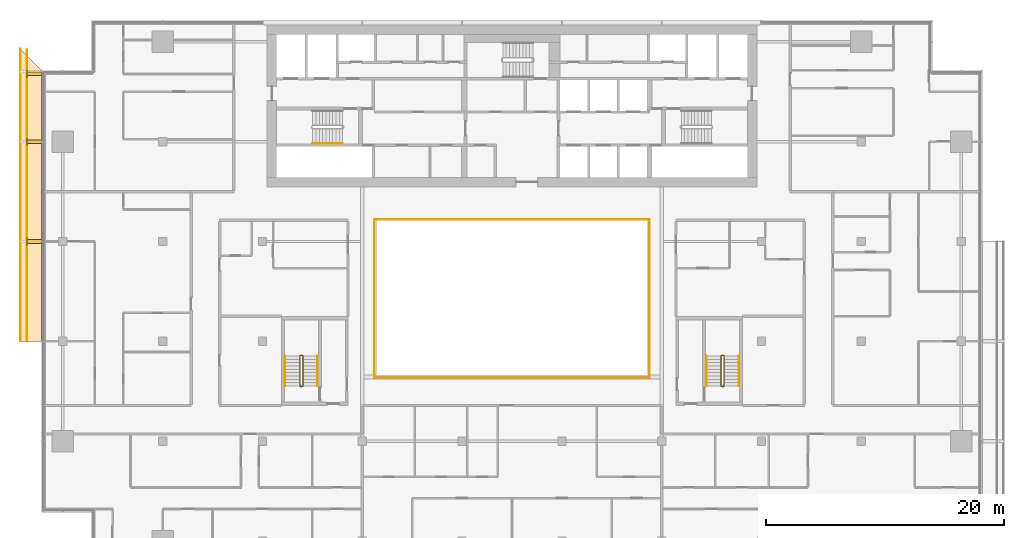
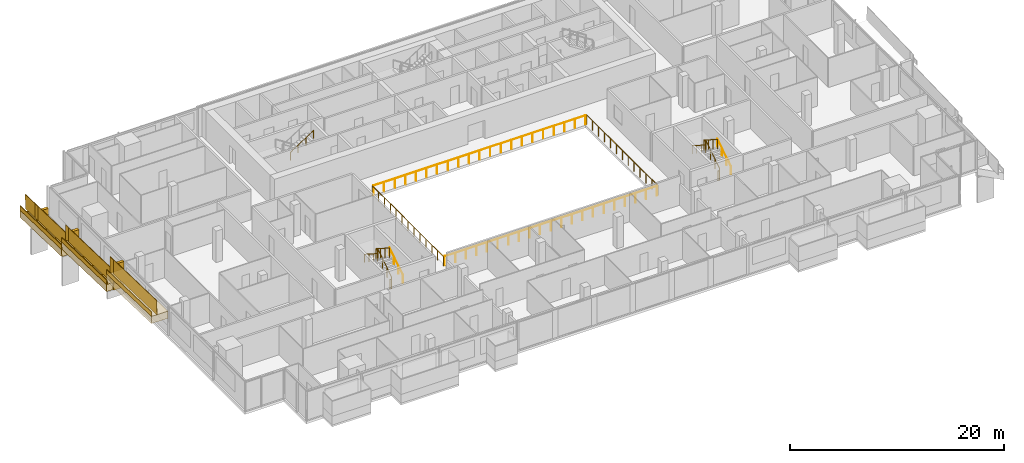
# One storey, part 27 of 29: 17 railings, 9 coverings.
"""IFC4 building model written with IfcOpenShell, lengths in metres."""

from ifc_helpers import new_model, si_unit, direction, frame, origin, origin_2d, place, context, subcontext, project, spatial, polyline, rectangle, circle, outline, extrude, material, layer, layer_set, type_object, element, save


model = new_model("IFC4")

# Units and contexts
model_context = context("Model", 3, precision=1e-05, world=origin(), true_north=direction((0.0, 1.0)))
body_context = subcontext(model_context, "Body", "Model", "MODEL_VIEW")
ifc_project = project(units=[si_unit("LENGTHUNIT", "METRE"), si_unit("AREAUNIT", "SQUARE_METRE"), si_unit("VOLUMEUNIT", "CUBIC_METRE"), si_unit("PLANEANGLEUNIT", "RADIAN"), si_unit("MASSUNIT", "GRAM", prefix="KILO")], contexts=[model_context])

# Site, building, storey
site_placement = place(None, origin())
site = spatial("IfcSite", under=ifc_project, at=site_placement, CompositionType="ELEMENT")
building_placement = place(site_placement, origin())
building = spatial("IfcBuilding", under=site, at=building_placement, Name="Saffron Gate Tower", CompositionType="ELEMENT")
storey_placement = place(building_placement, frame((0.0, 0.0, 161.85009765625)))
storey = spatial("IfcBuildingStorey", under=building, at=storey_placement, Name="L39", CompositionType="ELEMENT", Elevation=161.85009765625)

# Railings
ifc_material_1 = material(Name="Stainless steel and laminated glass", Category="steel")
railing_type_1 = type_object("IfcRailingType", Name="AG1 Atrium edge guard 1100", PredefinedType="GUARDRAIL", material=ifc_material_1)
railing_1_placement = place(storey_placement, frame((76.02001953125, 45.5400390625, 0.0)))
element("IfcRailing", 1, at=railing_1_placement, inside=storey, type_object=railing_type_1, Name="Guard C2-1", PredefinedType="GUARDRAIL", context=body_context, shape_type="SweptSolid", body=[
    extrude(circle(Radius=0.02392578125, at=origin_2d()), frame((0.0, 0.0, 1.076171875), z_axis=(0.0, 1.0, 0.0), x_axis=(-1.0, 0.0, 0.0)), (0.0, 0.0, 1.0), 13.320068359375),
    extrude(circle(Radius=0.02099609375, at=origin_2d()), origin(), (0.0, 0.0, 1.0), 1.052001953125),
    extrude(circle(Radius=0.02099609375, at=origin_2d()), frame((0.0, 1.110107421875, 0.0)), (0.0, 0.0, 1.0), 1.052001953125),
    extrude(circle(Radius=0.02099609375, at=origin_2d()), frame((0.0, 2.219970703125, 0.0)), (0.0, 0.0, 1.0), 1.052001953125),
    extrude(circle(Radius=0.02099609375, at=origin_2d()), frame((0.0, 3.330078125, 0.0)), (0.0, 0.0, 1.0), 1.052001953125),
    extrude(circle(Radius=0.02099609375, at=origin_2d()), frame((0.0, 4.43994140625, 0.0)), (0.0, 0.0, 1.0), 1.052001953125),
    extrude(circle(Radius=0.02099609375, at=origin_2d()), frame((0.0, 5.550048828125, 0.0)), (0.0, 0.0, 1.0), 1.052001953125),
    extrude(circle(Radius=0.02099609375, at=origin_2d()), frame((0.0, 6.66015625, 0.0)), (0.0, 0.0, 1.0), 1.052001953125),
    extrude(circle(Radius=0.02099609375, at=origin_2d()), frame((0.0, 7.77001953125, 0.0)), (0.0, 0.0, 1.0), 1.052001953125),
    extrude(circle(Radius=0.02099609375, at=origin_2d()), frame((0.0, 8.880126953125, 0.0)), (0.0, 0.0, 1.0), 1.052001953125),
    extrude(circle(Radius=0.02099609375, at=origin_2d()), frame((0.0, 9.989990234375, 0.0)), (0.0, 0.0, 1.0), 1.052001953125),
    extrude(circle(Radius=0.02099609375, at=origin_2d()), frame((0.0, 11.10009765625, 0.0)), (0.0, 0.0, 1.0), 1.052001953125),
    extrude(circle(Radius=0.02099609375, at=origin_2d()), frame((0.0, 12.2099609375, 0.0)), (0.0, 0.0, 1.0), 1.052001953125),
    extrude(circle(Radius=0.02099609375, at=origin_2d()), frame((0.0, 13.320068359375, 0.0)), (0.0, 0.0, 1.0), 1.052001953125),
])
railing_2_placement = place(storey_placement, frame((76.139892578125, 58.860107421875, 0.0)))
element("IfcRailing", 2, at=railing_2_placement, inside=storey, type_object=railing_type_1, Name="Guard C2-2", PredefinedType="GUARDRAIL", context=body_context, shape_type="SweptSolid", body=[
    extrude(circle(Radius=0.02392578125, at=origin_2d()), frame((0.0, 0.0, 1.076171875), z_axis=(1.0, 0.0, 0.0), x_axis=(0.0, 1.0, 0.0)), (0.0, 0.0, 1.0), 22.920166015625),
    extrude(circle(Radius=0.02099609375, at=origin_2d()), origin(), (0.0, 0.0, 1.0), 1.052001953125),
    extrude(circle(Radius=0.02099609375, at=origin_2d()), frame((1.14599609375, 0.0, 0.0)), (0.0, 0.0, 1.0), 1.052001953125),
    extrude(circle(Radius=0.02099609375, at=origin_2d()), frame((2.2919921875, 0.0, 0.0)), (0.0, 0.0, 1.0), 1.052001953125),
    extrude(circle(Radius=0.02099609375, at=origin_2d()), frame((3.43798828125, 0.0, 0.0)), (0.0, 0.0, 1.0), 1.052001953125),
    extrude(circle(Radius=0.02099609375, at=origin_2d()), frame((4.583984375, 0.0, 0.0)), (0.0, 0.0, 1.0), 1.052001953125),
    extrude(circle(Radius=0.02099609375, at=origin_2d()), frame((5.72998046875, 0.0, 0.0)), (0.0, 0.0, 1.0), 1.052001953125),
    extrude(circle(Radius=0.02099609375, at=origin_2d()), frame((6.8759765625, 0.0, 0.0)), (0.0, 0.0, 1.0), 1.052001953125),
    extrude(circle(Radius=0.02099609375, at=origin_2d()), frame((8.02197265625, 0.0, 0.0)), (0.0, 0.0, 1.0), 1.052001953125),
    extrude(circle(Radius=0.02099609375, at=origin_2d()), frame((9.16796875, 0.0, 0.0)), (0.0, 0.0, 1.0), 1.052001953125),
    extrude(circle(Radius=0.02099609375, at=origin_2d()), frame((10.31396484375, 0.0, 0.0)), (0.0, 0.0, 1.0), 1.052001953125),
    extrude(circle(Radius=0.02099609375, at=origin_2d()), frame((11.4599609375, 0.0, 0.0)), (0.0, 0.0, 1.0), 1.052001953125),
    extrude(circle(Radius=0.02099609375, at=origin_2d()), frame((12.606201171875, 0.0, 0.0)), (0.0, 0.0, 1.0), 1.052001953125),
    extrude(circle(Radius=0.02099609375, at=origin_2d()), frame((13.752197265625, 0.0, 0.0)), (0.0, 0.0, 1.0), 1.052001953125),
    extrude(circle(Radius=0.02099609375, at=origin_2d()), frame((14.898193359375, 0.0, 0.0)), (0.0, 0.0, 1.0), 1.052001953125),
    extrude(circle(Radius=0.02099609375, at=origin_2d()), frame((16.044189453125, 0.0, 0.0)), (0.0, 0.0, 1.0), 1.052001953125),
    extrude(circle(Radius=0.02099609375, at=origin_2d()), frame((17.190185546875, 0.0, 0.0)), (0.0, 0.0, 1.0), 1.052001953125),
    extrude(circle(Radius=0.02099609375, at=origin_2d()), frame((18.336181640625, 0.0, 0.0)), (0.0, 0.0, 1.0), 1.052001953125),
    extrude(circle(Radius=0.02099609375, at=origin_2d()), frame((19.482177734375, 0.0, 0.0)), (0.0, 0.0, 1.0), 1.052001953125),
    extrude(circle(Radius=0.02099609375, at=origin_2d()), frame((20.628173828125, 0.0, 0.0)), (0.0, 0.0, 1.0), 1.052001953125),
    extrude(circle(Radius=0.02099609375, at=origin_2d()), frame((21.774169921875, 0.0, 0.0)), (0.0, 0.0, 1.0), 1.052001953125),
    extrude(circle(Radius=0.02099609375, at=origin_2d()), frame((22.920166015625, 0.0, 0.0)), (0.0, 0.0, 1.0), 1.052001953125),
])
railing_3_placement = place(storey_placement, frame((99.179931640625, 58.860107421875, 0.0)))
element("IfcRailing", 3, at=railing_3_placement, inside=storey, type_object=railing_type_1, Name="Guard C2-3", PredefinedType="GUARDRAIL", context=body_context, shape_type="SweptSolid", body=[
    extrude(circle(Radius=0.02392578125, at=origin_2d()), frame((0.0, 0.0, 1.076171875), z_axis=(0.0, -1.0, 0.0), x_axis=(1.0, 0.0, 0.0)), (0.0, 0.0, 1.0), 13.320068359375),
    extrude(circle(Radius=0.02099609375, at=origin_2d()), origin(), (0.0, 0.0, 1.0), 1.052001953125),
    extrude(circle(Radius=0.02099609375, at=origin_2d()), frame((0.0, -1.110107421875, 0.0)), (0.0, 0.0, 1.0), 1.052001953125),
    extrude(circle(Radius=0.02099609375, at=origin_2d()), frame((0.0, -2.219970703125, 0.0)), (0.0, 0.0, 1.0), 1.052001953125),
    extrude(circle(Radius=0.02099609375, at=origin_2d()), frame((0.0, -3.330078125, 0.0)), (0.0, 0.0, 1.0), 1.052001953125),
    extrude(circle(Radius=0.02099609375, at=origin_2d()), frame((0.0, -4.43994140625, 0.0)), (0.0, 0.0, 1.0), 1.052001953125),
    extrude(circle(Radius=0.02099609375, at=origin_2d()), frame((0.0, -5.550048828125, 0.0)), (0.0, 0.0, 1.0), 1.052001953125),
    extrude(circle(Radius=0.02099609375, at=origin_2d()), frame((0.0, -6.66015625, 0.0)), (0.0, 0.0, 1.0), 1.052001953125),
    extrude(circle(Radius=0.02099609375, at=origin_2d()), frame((0.0, -7.77001953125, 0.0)), (0.0, 0.0, 1.0), 1.052001953125),
    extrude(circle(Radius=0.02099609375, at=origin_2d()), frame((0.0, -8.880126953125, 0.0)), (0.0, 0.0, 1.0), 1.052001953125),
    extrude(circle(Radius=0.02099609375, at=origin_2d()), frame((0.0, -9.989990234375, 0.0)), (0.0, 0.0, 1.0), 1.052001953125),
    extrude(circle(Radius=0.02099609375, at=origin_2d()), frame((0.0, -11.10009765625, 0.0)), (0.0, 0.0, 1.0), 1.052001953125),
    extrude(circle(Radius=0.02099609375, at=origin_2d()), frame((0.0, -12.2099609375, 0.0)), (0.0, 0.0, 1.0), 1.052001953125),
    extrude(circle(Radius=0.02099609375, at=origin_2d()), frame((0.0, -13.320068359375, 0.0)), (0.0, 0.0, 1.0), 1.052001953125),
])
railing_4_placement = place(storey_placement, frame((99.06005859375, 45.5400390625, 0.0)))
element("IfcRailing", 4, at=railing_4_placement, inside=storey, type_object=railing_type_1, Name="Guard C2-4", PredefinedType="GUARDRAIL", context=body_context, shape_type="SweptSolid", body=[
    extrude(circle(Radius=0.02392578125, at=origin_2d()), frame((0.0, 0.0, 1.076171875), z_axis=(-1.0, 0.0, 0.0), x_axis=(0.0, -1.0, 0.0)), (0.0, 0.0, 1.0), 22.920166015625),
    extrude(circle(Radius=0.02099609375, at=origin_2d()), origin(), (0.0, 0.0, 1.0), 1.052001953125),
    extrude(circle(Radius=0.02099609375, at=origin_2d()), frame((-1.14599609375, 0.0, 0.0)), (0.0, 0.0, 1.0), 1.052001953125),
    extrude(circle(Radius=0.02099609375, at=origin_2d()), frame((-2.2919921875, 0.0, 0.0)), (0.0, 0.0, 1.0), 1.052001953125),
    extrude(circle(Radius=0.02099609375, at=origin_2d()), frame((-3.43798828125, 0.0, 0.0)), (0.0, 0.0, 1.0), 1.052001953125),
    extrude(circle(Radius=0.02099609375, at=origin_2d()), frame((-4.583984375, 0.0, 0.0)), (0.0, 0.0, 1.0), 1.052001953125),
    extrude(circle(Radius=0.02099609375, at=origin_2d()), frame((-5.72998046875, 0.0, 0.0)), (0.0, 0.0, 1.0), 1.052001953125),
    extrude(circle(Radius=0.02099609375, at=origin_2d()), frame((-6.8759765625, 0.0, 0.0)), (0.0, 0.0, 1.0), 1.052001953125),
    extrude(circle(Radius=0.02099609375, at=origin_2d()), frame((-8.02197265625, 0.0, 0.0)), (0.0, 0.0, 1.0), 1.052001953125),
    extrude(circle(Radius=0.02099609375, at=origin_2d()), frame((-9.16796875, 0.0, 0.0)), (0.0, 0.0, 1.0), 1.052001953125),
    extrude(circle(Radius=0.02099609375, at=origin_2d()), frame((-10.31396484375, 0.0, 0.0)), (0.0, 0.0, 1.0), 1.052001953125),
    extrude(circle(Radius=0.02099609375, at=origin_2d()), frame((-11.4599609375, 0.0, 0.0)), (0.0, 0.0, 1.0), 1.052001953125),
    extrude(circle(Radius=0.02099609375, at=origin_2d()), frame((-12.606201171875, 0.0, 0.0)), (0.0, 0.0, 1.0), 1.052001953125),
    extrude(circle(Radius=0.02099609375, at=origin_2d()), frame((-13.752197265625, 0.0, 0.0)), (0.0, 0.0, 1.0), 1.052001953125),
    extrude(circle(Radius=0.02099609375, at=origin_2d()), frame((-14.898193359375, 0.0, 0.0)), (0.0, 0.0, 1.0), 1.052001953125),
    extrude(circle(Radius=0.02099609375, at=origin_2d()), frame((-16.044189453125, 0.0, 0.0)), (0.0, 0.0, 1.0), 1.052001953125),
    extrude(circle(Radius=0.02099609375, at=origin_2d()), frame((-17.190185546875, 0.0, 0.0)), (0.0, 0.0, 1.0), 1.052001953125),
    extrude(circle(Radius=0.02099609375, at=origin_2d()), frame((-18.336181640625, 0.0, 0.0)), (0.0, 0.0, 1.0), 1.052001953125),
    extrude(circle(Radius=0.02099609375, at=origin_2d()), frame((-19.482177734375, 0.0, 0.0)), (0.0, 0.0, 1.0), 1.052001953125),
    extrude(circle(Radius=0.02099609375, at=origin_2d()), frame((-20.628173828125, 0.0, 0.0)), (0.0, 0.0, 1.0), 1.052001953125),
    extrude(circle(Radius=0.02099609375, at=origin_2d()), frame((-21.774169921875, 0.0, 0.0)), (0.0, 0.0, 1.0), 1.052001953125),
    extrude(circle(Radius=0.02099609375, at=origin_2d()), frame((-22.920166015625, 0.0, 0.0)), (0.0, 0.0, 1.0), 1.052001953125),
])
railing_type_2 = type_object("IfcRailingType", Name="CR1 Stair guard 1100", PredefinedType="GUARDRAIL", material=ifc_material_1)
railing_5_placement = place(storey_placement, frame((69.800048828125, 44.800048828125, 0.0)))
element("IfcRailing", 5, at=railing_5_placement, inside=storey, type_object=railing_type_2, Name="L39 ST-D stair guard 1", PredefinedType="GUARDRAIL", context=body_context, shape_type="SweptSolid", body=[
    extrude(circle(Radius=0.02392578125, at=origin_2d()), frame((0.0, 0.0, 1.076171875), z_axis=(1.0, 0.0, 0.0), x_axis=(0.0, 1.0, 0.0)), (0.0, 0.0, 1.0), 0.14990234375),
    extrude(circle(Radius=0.02392578125, at=origin_2d()), frame((0.14990234375, 0.0, 1.076171875), z_axis=(0.258847668887, 0.258847668887, 0.930588936439), x_axis=(-0.707106781187, 0.707106781187, 0.0)), (0.0, 0.0, 1.0), 0.193359375),
    extrude(circle(Radius=0.02392578125, at=origin_2d()), frame((0.199951171875, 0.050048828125, 1.255859375), z_axis=(0.0, 0.841199657755, 0.540724639528), x_axis=(-1.0, 0.0, 0.0)), (0.0, 0.0, 1.0), 2.995849609375),
    extrude(circle(Radius=0.02392578125, at=origin_2d()), frame((0.199951171875, 2.570068359375, 2.8759765625), z_axis=(-0.708833529934, 0.705375805398, 0.0), x_axis=(-0.705375805398, -0.708833529934, 0.0)), (0.0, 0.0, 1.0), 0.070556640625),
    extrude(circle(Radius=0.02392578125, at=origin_2d()), frame((0.14990234375, 2.619873046875, 2.8759765625), z_axis=(-1.0, 0.0, 0.0), x_axis=(0.0, -1.0, 0.0)), (0.0, 0.0, 1.0), 0.14990234375),
    extrude(circle(Radius=0.02392578125, at=origin_2d()), frame((0.0, 2.619873046875, 2.8759765625), z_axis=(-0.258627984543, -0.257366384619, 0.931060744355), x_axis=(0.705375805398, -0.708833529934, 0.0)), (0.0, 0.0, 1.0), 0.193603515625),
    extrude(circle(Radius=0.02392578125, at=origin_2d()), frame((-0.050048828125, 2.570068359375, 3.05615234375), z_axis=(0.0, -0.841199657755, 0.540724639528), x_axis=(1.0, 0.0, 0.0)), (0.0, 0.0, 1.0), 2.995849609375),
    extrude(circle(Radius=0.02099609375, at=origin_2d()), origin(), (0.0, 0.0, 1.0), 1.052001953125),
    extrude(circle(Radius=0.02099609375, at=origin_2d()), frame((0.14990234375, 0.0, 0.0)), (0.0, 0.0, 1.0), 1.052001953125),
    extrude(circle(Radius=0.02099609375, at=origin_2d()), frame((0.199951171875, 0.050048828125, 0.179931640625)), (0.0, 0.0, 1.0), 1.052001953125),
    extrude(circle(Radius=0.02099609375, at=origin_2d()), frame((0.199951171875, 0.89013671875, 0.719970703125)), (0.0, 0.0, 1.0), 1.052001953125),
    extrude(circle(Radius=0.02099609375, at=origin_2d()), frame((0.199951171875, 1.72998046875, 1.259765625)), (0.0, 0.0, 1.0), 1.052001953125),
    extrude(circle(Radius=0.02099609375, at=origin_2d()), frame((0.199951171875, 2.570068359375, 1.7998046875)), (0.0, 0.0, 1.0), 1.052001953125),
    extrude(circle(Radius=0.02099609375, at=origin_2d()), frame((0.14990234375, 2.619873046875, 1.7998046875)), (0.0, 0.0, 1.0), 1.052001953125),
    extrude(circle(Radius=0.02099609375, at=origin_2d()), frame((0.0, 2.619873046875, 1.7998046875)), (0.0, 0.0, 1.0), 1.052001953125),
    extrude(circle(Radius=0.02099609375, at=origin_2d()), frame((-0.050048828125, 2.570068359375, 1.97998046875)), (0.0, 0.0, 1.0), 1.052001953125),
    extrude(circle(Radius=0.02099609375, at=origin_2d()), frame((-0.050048828125, 1.72998046875, 2.52001953125)), (0.0, 0.0, 1.0), 1.052001953125),
    extrude(circle(Radius=0.02099609375, at=origin_2d()), frame((-0.050048828125, 0.89013671875, 3.059814453125)), (0.0, 0.0, 1.0), 1.052001953125),
    extrude(circle(Radius=0.02099609375, at=origin_2d()), frame((-0.050048828125, 0.050048828125, 3.599853515625)), (0.0, 0.0, 1.0), 1.052001953125),
])
railing_6_placement = place(storey_placement, frame((105.25, 44.800048828125, 0.0)))
element("IfcRailing", 6, at=railing_6_placement, inside=storey, type_object=railing_type_2, Name="L39 ST-E stair guard 1", PredefinedType="GUARDRAIL", context=body_context, shape_type="SweptSolid", body=[
    extrude(circle(Radius=0.02392578125, at=origin_2d()), frame((0.0, 0.0, 1.076171875), z_axis=(1.0, 0.0, 0.0), x_axis=(0.0, 1.0, 0.0)), (0.0, 0.0, 1.0), 0.14990234375),
    extrude(circle(Radius=0.02392578125, at=origin_2d()), frame((0.14990234375, 0.0, 1.076171875), z_axis=(0.258847668887, 0.258847668887, 0.930588936439), x_axis=(-0.707106781187, 0.707106781187, 0.0)), (0.0, 0.0, 1.0), 0.193359375),
    extrude(circle(Radius=0.02392578125, at=origin_2d()), frame((0.199951171875, 0.050048828125, 1.255859375), z_axis=(0.0, 0.841199657755, 0.540724639528), x_axis=(-1.0, 0.0, 0.0)), (0.0, 0.0, 1.0), 2.995849609375),
    extrude(circle(Radius=0.02392578125, at=origin_2d()), frame((0.199951171875, 2.570068359375, 2.8759765625), z_axis=(-0.708833529934, 0.705375805398, 0.0), x_axis=(-0.705375805398, -0.708833529934, 0.0)), (0.0, 0.0, 1.0), 0.070556640625),
    extrude(circle(Radius=0.02392578125, at=origin_2d()), frame((0.14990234375, 2.619873046875, 2.8759765625), z_axis=(-1.0, 0.0, 0.0), x_axis=(0.0, -1.0, 0.0)), (0.0, 0.0, 1.0), 0.14990234375),
    extrude(circle(Radius=0.02392578125, at=origin_2d()), frame((0.0, 2.619873046875, 2.8759765625), z_axis=(-0.258627984543, -0.257366384619, 0.931060744355), x_axis=(0.705375805398, -0.708833529934, 0.0)), (0.0, 0.0, 1.0), 0.193603515625),
    extrude(circle(Radius=0.02392578125, at=origin_2d()), frame((-0.050048828125, 2.570068359375, 3.05615234375), z_axis=(0.0, -0.841199657755, 0.540724639528), x_axis=(1.0, 0.0, 0.0)), (0.0, 0.0, 1.0), 2.995849609375),
    extrude(circle(Radius=0.02099609375, at=origin_2d()), origin(), (0.0, 0.0, 1.0), 1.052001953125),
    extrude(circle(Radius=0.02099609375, at=origin_2d()), frame((0.14990234375, 0.0, 0.0)), (0.0, 0.0, 1.0), 1.052001953125),
    extrude(circle(Radius=0.02099609375, at=origin_2d()), frame((0.199951171875, 0.050048828125, 0.179931640625)), (0.0, 0.0, 1.0), 1.052001953125),
    extrude(circle(Radius=0.02099609375, at=origin_2d()), frame((0.199951171875, 0.89013671875, 0.719970703125)), (0.0, 0.0, 1.0), 1.052001953125),
    extrude(circle(Radius=0.02099609375, at=origin_2d()), frame((0.199951171875, 1.72998046875, 1.259765625)), (0.0, 0.0, 1.0), 1.052001953125),
    extrude(circle(Radius=0.02099609375, at=origin_2d()), frame((0.199951171875, 2.570068359375, 1.7998046875)), (0.0, 0.0, 1.0), 1.052001953125),
    extrude(circle(Radius=0.02099609375, at=origin_2d()), frame((0.14990234375, 2.619873046875, 1.7998046875)), (0.0, 0.0, 1.0), 1.052001953125),
    extrude(circle(Radius=0.02099609375, at=origin_2d()), frame((0.0, 2.619873046875, 1.7998046875)), (0.0, 0.0, 1.0), 1.052001953125),
    extrude(circle(Radius=0.02099609375, at=origin_2d()), frame((-0.050048828125, 2.570068359375, 1.97998046875)), (0.0, 0.0, 1.0), 1.052001953125),
    extrude(circle(Radius=0.02099609375, at=origin_2d()), frame((-0.050048828125, 1.72998046875, 2.52001953125)), (0.0, 0.0, 1.0), 1.052001953125),
    extrude(circle(Radius=0.02099609375, at=origin_2d()), frame((-0.050048828125, 0.89013671875, 3.059814453125)), (0.0, 0.0, 1.0), 1.052001953125),
    extrude(circle(Radius=0.02099609375, at=origin_2d()), frame((-0.050048828125, 0.050048828125, 3.599853515625)), (0.0, 0.0, 1.0), 1.052001953125),
])
ifc_material_2 = material(Name="Stainless steel", Category="steel")
railing_type_3 = type_object("IfcRailingType", Name="CR2 Stair handrail 900", PredefinedType="HANDRAIL", material=ifc_material_2)
railing_7_placement = place(storey_placement, frame((70.830078125, 65.25, 1.97998046875)))
element("IfcRailing", 7, at=railing_7_placement, inside=storey, type_object=railing_type_3, Name="L39 ST-A stair handrail 2", PredefinedType="HANDRAIL", context=body_context, shape_type="SweptSolid", body=[
    extrude(circle(Radius=0.02392578125, at=origin_2d()), frame((0.0, 0.0, 0.8759765625), z_axis=(0.841199657755, 0.0, 0.540724639528), x_axis=(0.0, 1.0, 0.0)), (0.0, 0.0, 1.0), 2.995849609375),
    extrude(circle(Radius=0.02099609375, at=origin_2d()), origin(), (0.0, 0.0, 1.0), 0.851806640625),
    extrude(circle(Radius=0.02099609375, at=origin_2d()), frame((0.840087890625, 0.0, 0.5400390625)), (0.0, 0.0, 1.0), 0.851806640625),
    extrude(circle(Radius=0.02099609375, at=origin_2d()), frame((1.679931640625, 0.0, 1.079833984375)), (0.0, 0.0, 1.0), 0.851806640625),
    extrude(circle(Radius=0.02099609375, at=origin_2d()), frame((2.52001953125, 0.0, 1.619873046875)), (0.0, 0.0, 1.0), 0.851806640625),
])
railing_8_placement = place(storey_placement, frame((71.25, 44.85009765625, 0.179931640625)))
element("IfcRailing", 8, at=railing_8_placement, inside=storey, type_object=railing_type_3, Name="L39 ST-D stair handrail 1", PredefinedType="HANDRAIL", context=body_context, shape_type="SweptSolid", body=[
    extrude(circle(Radius=0.02392578125, at=origin_2d()), frame((0.0, 0.0, 0.8759765625), z_axis=(0.0, 0.841199657755, 0.540724639528), x_axis=(-1.0, 0.0, 0.0)), (0.0, 0.0, 1.0), 2.995849609375),
    extrude(circle(Radius=0.02099609375, at=origin_2d()), origin(), (0.0, 0.0, 1.0), 0.851806640625),
    extrude(circle(Radius=0.02099609375, at=origin_2d()), frame((0.0, 0.840087890625, 0.5400390625)), (0.0, 0.0, 1.0), 0.851806640625),
    extrude(circle(Radius=0.02099609375, at=origin_2d()), frame((0.0, 1.679931640625, 1.079833984375)), (0.0, 0.0, 1.0), 0.851806640625),
    extrude(circle(Radius=0.02099609375, at=origin_2d()), frame((0.0, 2.52001953125, 1.619873046875)), (0.0, 0.0, 1.0), 0.851806640625),
])
railing_9_placement = place(storey_placement, frame((68.5, 47.3701171875, 1.97998046875)))
element("IfcRailing", 9, at=railing_9_placement, inside=storey, type_object=railing_type_3, Name="L39 ST-D stair handrail 2", PredefinedType="HANDRAIL", context=body_context, shape_type="SweptSolid", body=[
    extrude(circle(Radius=0.02392578125, at=origin_2d()), frame((0.0, 0.0, 0.8759765625), z_axis=(0.0, -0.841199657755, 0.540724639528), x_axis=(1.0, 0.0, 0.0)), (0.0, 0.0, 1.0), 2.995849609375),
    extrude(circle(Radius=0.02099609375, at=origin_2d()), origin(), (0.0, 0.0, 1.0), 0.851806640625),
    extrude(circle(Radius=0.02099609375, at=origin_2d()), frame((0.0, -0.840087890625, 0.5400390625)), (0.0, 0.0, 1.0), 0.851806640625),
    extrude(circle(Radius=0.02099609375, at=origin_2d()), frame((0.0, -1.679931640625, 1.079833984375)), (0.0, 0.0, 1.0), 0.851806640625),
    extrude(circle(Radius=0.02099609375, at=origin_2d()), frame((0.0, -2.52001953125, 1.619873046875)), (0.0, 0.0, 1.0), 0.851806640625),
])
railing_10_placement = place(storey_placement, frame((106.699951171875, 44.85009765625, 0.179931640625)))
element("IfcRailing", 10, at=railing_10_placement, inside=storey, type_object=railing_type_3, Name="L39 ST-E stair handrail 1", PredefinedType="HANDRAIL", context=body_context, shape_type="SweptSolid", body=[
    extrude(circle(Radius=0.02392578125, at=origin_2d()), frame((0.0, 0.0, 0.8759765625), z_axis=(0.0, 0.841199657755, 0.540724639528), x_axis=(-1.0, 0.0, 0.0)), (0.0, 0.0, 1.0), 2.995849609375),
    extrude(circle(Radius=0.02099609375, at=origin_2d()), origin(), (0.0, 0.0, 1.0), 0.851806640625),
    extrude(circle(Radius=0.02099609375, at=origin_2d()), frame((0.0, 0.840087890625, 0.5400390625)), (0.0, 0.0, 1.0), 0.851806640625),
    extrude(circle(Radius=0.02099609375, at=origin_2d()), frame((0.0, 1.679931640625, 1.079833984375)), (0.0, 0.0, 1.0), 0.851806640625),
    extrude(circle(Radius=0.02099609375, at=origin_2d()), frame((0.0, 2.52001953125, 1.619873046875)), (0.0, 0.0, 1.0), 0.851806640625),
])
railing_11_placement = place(storey_placement, frame((103.949951171875, 47.3701171875, 1.97998046875)))
element("IfcRailing", 11, at=railing_11_placement, inside=storey, type_object=railing_type_3, Name="L39 ST-E stair handrail 2", PredefinedType="HANDRAIL", context=body_context, shape_type="SweptSolid", body=[
    extrude(circle(Radius=0.02392578125, at=origin_2d()), frame((0.0, 0.0, 0.8759765625), z_axis=(0.0, -0.841199657755, 0.540724639528), x_axis=(1.0, 0.0, 0.0)), (0.0, 0.0, 1.0), 2.995849609375),
    extrude(circle(Radius=0.02099609375, at=origin_2d()), origin(), (0.0, 0.0, 1.0), 0.851806640625),
    extrude(circle(Radius=0.02099609375, at=origin_2d()), frame((0.0, -0.840087890625, 0.5400390625)), (0.0, 0.0, 1.0), 0.851806640625),
    extrude(circle(Radius=0.02099609375, at=origin_2d()), frame((0.0, -1.679931640625, 1.079833984375)), (0.0, 0.0, 1.0), 0.851806640625),
    extrude(circle(Radius=0.02099609375, at=origin_2d()), frame((0.0, -2.52001953125, 1.619873046875)), (0.0, 0.0, 1.0), 0.851806640625),
])

# Coverings
ifc_material_3 = material(Name="Timber, thermally modified ash", Category="wood")
ifc_layer_1 = layer(ifc_material_3, 0.800048828125)
ifc_layer_set_1 = layer_set([ifc_layer_1], Name="LD1 ledge timber")
covering_type_1 = type_object("IfcCoveringType", Name="LD1 ledge timber", PredefinedType="CLADDING", material=ifc_layer_set_1)
covering_1_placement = place(storey_placement, frame((48.0, 71.39990234375, 0.09912109375), z_axis=(-3.5027307e-05, 0.028807146299, 0.99958498743), x_axis=(-3.68e-10, -0.999584988043, 0.028807146316)))
element("IfcCovering", 12, at=covering_1_placement, inside=storey, type_object=covering_type_1, Name="LEDGE", PredefinedType="CLADDING", context=body_context, shape_type="SweptSolid", body=[
    extrude(outline(polyline([(0.0, 0.0), (6.0024892885105, 2.541098841762901e-21), (6.002489289172793, -1.8000488270207489), (-1.800799813548424, -1.8000488321003227), (0.0, 0.0)])), origin(), (0.0, 0.0, -1.0), 0.800048828125),
])
for number, where, z_axis, x_axis, name in (
    (13, (48.0, 65.39990234375, 1.12939453125), (0.0, 0.028791175352, 0.999585448184), (0.0, -0.999585448184, 0.028791175352), "LEDGE"),
    (14, (48.0, 57.0, 2.57177734375), (0.0, 0.028791175352, 0.999585448184), (0.0, -0.999585448184, 0.028791175352), "LEDGE"),
):
    element("IfcCovering", number, at=place(storey_placement, frame(where, z_axis=z_axis, x_axis=x_axis)), inside=storey, type_object=covering_type_1, Name=name, PredefinedType="CLADDING", context=body_context, shape_type="SweptSolid", body=[
        extrude(outline(polyline([(0.0, 0.0), (8.403385982666892, 0.0), (8.403385982666892, -1.800048828125), (0.0, -1.800048828125), (0.0, 0.0)])), origin(), (0.0, 0.0, -1.0), 0.800048828125),
    ])
ifc_layer_2 = layer(ifc_material_3, 0.080078125)
ifc_layer_set_2 = layer_set([ifc_layer_2], Name="LD2 ledge planter trough")
covering_type_2 = type_object("IfcCoveringType", Name="LD2 ledge planter trough", PredefinedType="CLADDING", material=ifc_layer_set_2)
covering_2_placement = place(storey_placement, frame((46.199951171875, 73.199951171875, 0.047119140625), z_axis=(-1.0, 0.0, 0.0), x_axis=(0.0, -0.999584755248, 0.028815222999)))
element("IfcCovering", 15, at=covering_2_placement, inside=storey, type_object=covering_type_2, Name="LEDGE planter trough", PredefinedType="CLADDING", context=body_context, shape_type="SweptSolid", body=[
    extrude(outline(polyline([(0.0, 0.0), (7.803289102975944, 0.0), (7.8176967144752565, 0.4997923776238338), (0.014407611499312996, 0.4997923776238338), (0.0, 0.0)])), origin(), (0.0, 0.0, -1.0), 0.080078125),
])
for number, where, z_axis, x_axis, name in (
    (16, (46.199951171875, 65.39990234375, 1.12939453125), (-1.0, 0.0, 0.0), (0.0, -0.999585448184, 0.028791175352), "LEDGE planter trough"),
    (17, (46.199951171875, 57.0, 2.57177734375), (-1.0, 0.0, 0.0), (0.0, -0.999585448184, 0.028791175352), "LEDGE planter trough"),
):
    element("IfcCovering", number, at=place(storey_placement, frame(where, z_axis=z_axis, x_axis=x_axis)), inside=storey, type_object=covering_type_2, Name=name, PredefinedType="CLADDING", context=body_context, shape_type="SweptSolid", body=[
        extrude(outline(polyline([(0.0, 0.0), (8.403385982666892, 0.0), (8.417781570342743, 0.49979272409216496), (0.014395587675851172, 0.4997927240921649), (0.0, 0.0)])), origin(), (0.0, 0.0, -1.0), 0.080078125),
    ])
ifc_layer_3 = layer(ifc_material_3, 0.300048828125)
ifc_layer_set_3 = layer_set([ifc_layer_3], Name="LD3 ledge riser fin")
covering_type_3 = type_object("IfcCoveringType", Name="LD3 ledge riser fin", PredefinedType="CLADDING", material=ifc_layer_set_3)
covering_3_placement = place(storey_placement, frame((47.43994140625, 71.10009765625, -0.9580078125), z_axis=(0.0, 0.0, 1.0), x_axis=(0.0, -1.0, 0.0)))
element("IfcCovering", 18, at=covering_3_placement, inside=storey, type_object=covering_type_3, Name="LEDGE riser fin", PredefinedType="CLADDING", context=body_context, shape_type="SweptSolid", body=[
    extrude(rectangle(XDim=0.300048828125, YDim=1.1201171875, at=origin_2d()), origin(), (0.0, 0.0, 1.0), 1.957275390625),
])
covering_4_placement = place(storey_placement, frame((47.43994140625, 65.39990234375, -0.52783203125), z_axis=(0.0, 0.0, 1.0), x_axis=(0.0, -1.0, 0.0)))
element("IfcCovering", 19, at=covering_4_placement, inside=storey, type_object=covering_type_3, Name="LEDGE riser fin", PredefinedType="CLADDING", context=body_context, shape_type="SweptSolid", body=[
    extrude(rectangle(XDim=0.300048828125, YDim=1.1201171875, at=origin_2d()), origin(), (0.0, 0.0, 1.0), 2.557373046875),
])
covering_5_placement = place(storey_placement, frame((47.43994140625, 57.0, 0.5712890625), z_axis=(0.0, 0.0, 1.0), x_axis=(0.0, -1.0, 0.0)))
element("IfcCovering", 20, at=covering_5_placement, inside=storey, type_object=covering_type_3, Name="LEDGE riser fin", PredefinedType="CLADDING", context=body_context, shape_type="SweptSolid", body=[
    extrude(rectangle(XDim=0.300048828125, YDim=1.1201171875, at=origin_2d()), origin(), (0.0, 0.0, 1.0), 2.900390625),
])

# Railings
railing_type_4 = type_object("IfcRailingType", Name="LG1 ledge balustrade", PredefinedType="BALUSTRADE", material=ifc_material_3)
railing_12_placement = place(storey_placement, frame((46.800048828125, 73.199951171875, 0.047119140625)))
element("IfcRailing", 21, at=railing_12_placement, inside=storey, type_object=railing_type_4, Name="LEDGE BALUSTRADE", PredefinedType="BALUSTRADE", context=body_context, shape_type="SweptSolid", body=[
    extrude(rectangle(XDim=0.06005859375, YDim=1.60009765625, at=origin_2d()), frame((0.0, 0.0, 0.800048828125), z_axis=(0.0, -0.999584755248, 0.028815222999), x_axis=(1.0, 0.0, 0.0)), (0.0, 0.0, 1.0), 7.80322265625),
])
railing_13_placement = place(storey_placement, frame((46.800048828125, 71.39990234375, -0.158203125)))
element("IfcRailing", 22, at=railing_13_placement, inside=storey, type_object=railing_type_4, Name="LEDGE BALUSTRADE", PredefinedType="BALUSTRADE", context=body_context, shape_type="SweptSolid", body=[
    extrude(rectangle(XDim=0.06005859375, YDim=1.857177734375, at=origin_2d()), frame((0.0, 0.0, 0.9287109375), z_axis=(0.0, -1.0, 0.0), x_axis=(1.0, 0.0, 0.0)), (0.0, 0.0, 1.0), 0.599853515625),
])
railing_14_placement = place(storey_placement, frame((46.800048828125, 65.39990234375, 1.12939453125)))
element("IfcRailing", 23, at=railing_14_placement, inside=storey, type_object=railing_type_4, Name="LEDGE BALUSTRADE", PredefinedType="BALUSTRADE", context=body_context, shape_type="SweptSolid", body=[
    extrude(rectangle(XDim=0.06005859375, YDim=1.60009765625, at=origin_2d()), frame((0.0, 0.0, 0.800048828125), z_axis=(0.0, -0.999585448184, 0.028791175352), x_axis=(1.0, 0.0, 0.0)), (0.0, 0.0, 1.0), 8.4033203125),
])
railing_15_placement = place(storey_placement, frame((46.800048828125, 65.699951171875, 0.27197265625)))
element("IfcRailing", 24, at=railing_15_placement, inside=storey, type_object=railing_type_4, Name="LEDGE BALUSTRADE", PredefinedType="BALUSTRADE", context=body_context, shape_type="SweptSolid", body=[
    extrude(rectangle(XDim=0.06005859375, YDim=2.45751953125, at=origin_2d()), frame((0.0, 0.0, 1.228759765625), z_axis=(0.0, -1.0, 0.0), x_axis=(1.0, 0.0, 0.0)), (0.0, 0.0, 1.0), 0.599853515625),
])
railing_16_placement = place(storey_placement, frame((46.800048828125, 57.0, 2.57177734375)))
element("IfcRailing", 25, at=railing_16_placement, inside=storey, type_object=railing_type_4, Name="LEDGE BALUSTRADE", PredefinedType="BALUSTRADE", context=body_context, shape_type="SweptSolid", body=[
    extrude(rectangle(XDim=0.06005859375, YDim=1.60009765625, at=origin_2d()), frame((0.0, 0.0, 0.800048828125), z_axis=(0.0, -0.999585448184, 0.028791175352), x_axis=(1.0, 0.0, 0.0)), (0.0, 0.0, 1.0), 8.4033203125),
])
railing_17_placement = place(storey_placement, frame((46.800048828125, 57.300048828125, 1.371337890625)))
element("IfcRailing", 26, at=railing_17_placement, inside=storey, type_object=railing_type_4, Name="LEDGE BALUSTRADE", PredefinedType="BALUSTRADE", context=body_context, shape_type="SweptSolid", body=[
    extrude(rectangle(XDim=0.06005859375, YDim=2.80029296875, at=origin_2d()), frame((0.0, 0.0, 1.400146484375), z_axis=(0.0, -1.0, 0.0), x_axis=(1.0, 0.0, 0.0)), (0.0, 0.0, 1.0), 0.60009765625),
])

save(model, "model.ifc")
